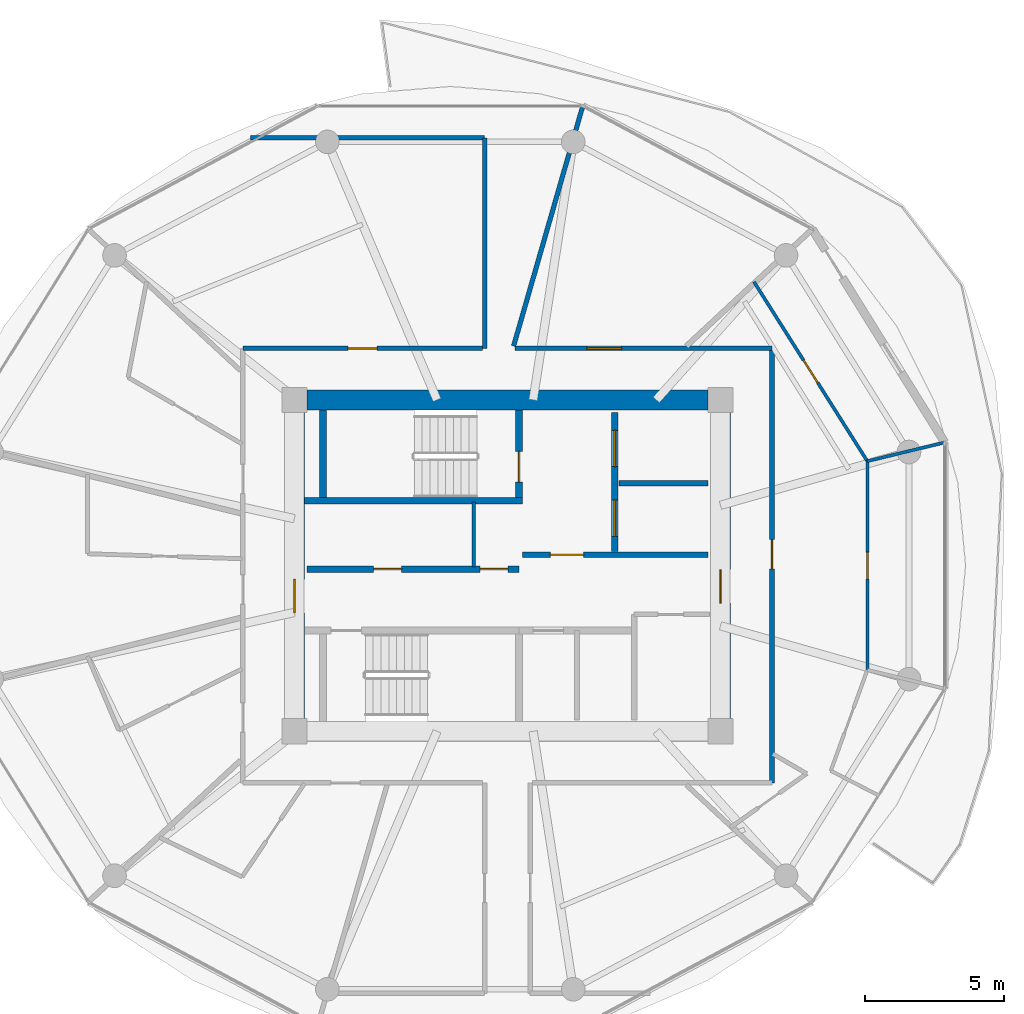
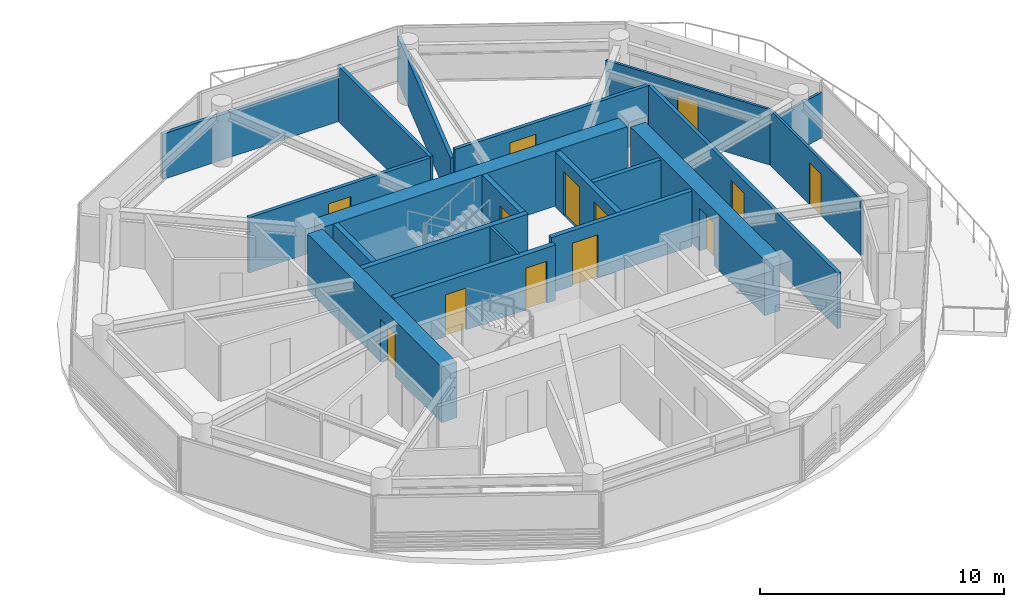
# One storey, part 17 of 24: 20 walls, 13 doors, 13 openings.
"""IFC4 building model written with IfcOpenShell, lengths in metres."""

from ifc_helpers import new_model, si_unit, direction, frame, frame_2d, origin, place, context, subcontext, project, spatial, rectangle, extrude, source, transform, mapped, material, layer, layer_set, type_object, type_shapes, element, fill, save


model = new_model("IFC4")

# Units and contexts
model_context = context("Model", 3, precision=1e-05, world=origin(), true_north=direction((0.0, 1.0)))
body_context = subcontext(model_context, "Body", "Model", "MODEL_VIEW")
ifc_project = project(units=[si_unit("LENGTHUNIT", "METRE"), si_unit("AREAUNIT", "SQUARE_METRE"), si_unit("VOLUMEUNIT", "CUBIC_METRE"), si_unit("PLANEANGLEUNIT", "RADIAN"), si_unit("MASSUNIT", "GRAM", prefix="KILO")], contexts=[model_context])

# Site, building, storey
site_placement = place(None, origin())
site = spatial("IfcSite", under=ifc_project, at=site_placement, CompositionType="ELEMENT")
building_placement = place(site_placement, origin())
building = spatial("IfcBuilding", under=site, at=building_placement, Name="Norrkilde Senior Care Towers", CompositionType="ELEMENT")
storey_placement = place(building_placement, frame((0.0, 0.0, 102.35009765625)))
storey = spatial("IfcBuildingStorey", under=building, at=storey_placement, Name="L31", CompositionType="ELEMENT", Elevation=102.35009765625)

# Wall
ifc_material_1 = material(Name="Concrete C60/75", Category="concrete")
ifc_layer_1 = layer(ifc_material_1, 0.719970703125)
ifc_layer_set_1 = layer_set([ifc_layer_1], Name="Concrete C60/75")
wall_type_1 = type_object("IfcWallType", Name="Core Shear Wall Z2 720", PredefinedType="SHEAR", material=ifc_layer_set_1)
shared_shape_1 = source(origin(), body_context, "Body", "SweptSolid", [
    extrude(rectangle(XDim=14.39990234375, YDim=0.719970703125, at=frame_2d((7.199951171875, 0.0))), origin(), (0.0, 0.0, 1.0), 2.789794921875),
])
wall_1_placement = place(storey_placement, frame((20.800048828125, 5.949951171875, 0.0), z_axis=(0.0, 0.0, 1.0), x_axis=(1.0, 0.0, 0.0)))
element("IfcWall", 1, at=wall_1_placement, inside=storey, type_object=wall_type_1, Name="L31 Core E North Shear Wall", PredefinedType="SHEAR", context=body_context, shape_type="MappedRepresentation", body=[
    mapped(shared_shape_1, transform((0.0, 0.0, 0.0), x_axis=(1.0, 0.0, 0.0), y_axis=(0.0, 1.0, 0.0), z_axis=(0.0, 0.0, 1.0), scale=1.0)),
])

# Wall, opening, door
shared_shape_2 = source(origin(), body_context, "Body", "SweptSolid", [
    extrude(rectangle(XDim=11.0, YDim=0.719970703125, at=frame_2d((5.5, 0.0))), origin(), (0.0, 0.0, 1.0), 2.789794921875),
])
type_shapes(wall_type_1, [shared_shape_1, shared_shape_2])
wall_2_placement = place(storey_placement, frame((20.35009765625, -5.5, 0.0), z_axis=(0.0, 0.0, 1.0), x_axis=(0.0, 1.0, 0.0)))
wall_2 = element("IfcWall", 2, at=wall_2_placement, inside=storey, type_object=wall_type_1, Name="L31 Core E West Shear Wall", PredefinedType="SHEAR", context=body_context, shape_type="MappedRepresentation", body=[
    mapped(shared_shape_2, transform((0.0, 0.0, 0.0), x_axis=(1.0, 0.0, 0.0), y_axis=(0.0, 1.0, 0.0), z_axis=(0.0, 0.0, 1.0), scale=1.0)),
])
opening_1_placement = place(wall_2_placement, frame((3.800048828125, 0.0, 0.0)))
opening_1 = element("IfcOpeningElement", 3, at=opening_1_placement, cuts=wall_2, Name="Opening D-04", PredefinedType="OPENING", context=body_context, shape_type="SweptSolid", body=[
    extrude(rectangle(XDim=1.199951171875, YDim=2.14990234375, at=frame_2d((0.60009765625, 1.074951171875))), frame((0.0, 0.369873046875, 0.0), z_axis=(0.0, -1.0, 0.0), x_axis=(1.0, 0.0, 0.0)), (0.0, 0.0, 1.0), 0.739990234375),
])
ifc_material_2 = material(Name="Galvanised Painted Steel", Category="steel")
door_type_1 = type_object("IfcDoorType", Name="Firefighting Lobby Fire Door 1200x2150", OperationType="NOTDEFINED", PredefinedType="DOOR", material=ifc_material_2)
shared_shape_3 = source(origin(), body_context, "Body", "SweptSolid", [
    extrude(rectangle(XDim=1.199951171875, YDim=2.14990234375, at=frame_2d((0.60009765625, 1.074951171875))), frame((0.0, 0.02490234375, 0.0), z_axis=(0.0, -1.0, 0.0), x_axis=(1.0, 0.0, 0.0)), (0.0, 0.0, 1.0), 0.050048828125),
])
type_shapes(door_type_1, [shared_shape_3])
door_1_placement = place(opening_1_placement, frame((1.199951171875, 0.0, 0.0), z_axis=(0.0, 0.0, 1.0), x_axis=(-1.0, 0.0, 0.0)))
door_1 = element("IfcDoor", 4, at=door_1_placement, inside=storey, type_object=door_type_1, Name="L31 Core E West Portal Door", OperationType="SINGLE_SWING_LEFT", OverallHeight=2.14990234375, OverallWidth=1.199951171875, PredefinedType="DOOR", context=body_context, shape_type="MappedRepresentation", body=[
    mapped(shared_shape_3, transform((0.0, 0.0, 0.0), x_axis=(1.0, 0.0, 0.0), y_axis=(0.0, 1.0, 0.0), z_axis=(0.0, 0.0, 1.0), scale=1.0)),
])
fill(opening_1, door_1)

wall_3_placement = place(storey_placement, frame((35.64990234375, 5.5, 0.0), z_axis=(0.0, 0.0, 1.0), x_axis=(0.0, -1.0, 0.0)))
wall_3 = element("IfcWall", 5, at=wall_3_placement, inside=storey, type_object=wall_type_1, Name="L31 Core E East Shear Wall", PredefinedType="SHEAR", context=body_context, shape_type="MappedRepresentation", body=[
    mapped(shared_shape_2, transform((0.0, 0.0, 0.0), x_axis=(1.0, 0.0, 0.0), y_axis=(0.0, 1.0, 0.0), z_axis=(0.0, 0.0, 1.0), scale=1.0)),
])
opening_2_placement = place(wall_3_placement, frame((5.64990234375, 0.0, 0.0)))
opening_2 = element("IfcOpeningElement", 6, at=opening_2_placement, cuts=wall_3, Name="Opening D-04", PredefinedType="OPENING", context=body_context, shape_type="SweptSolid", body=[
    extrude(rectangle(XDim=1.199951171875, YDim=2.14990234375, at=frame_2d((0.60009765625, 1.074951171875))), frame((0.0, 0.369873046875, 0.0), z_axis=(0.0, -1.0, 0.0), x_axis=(1.0, 0.0, 0.0)), (0.0, 0.0, 1.0), 0.739990234375),
])
door_2_placement = place(opening_2_placement, frame((1.199951171875, 0.0, 0.0), z_axis=(0.0, 0.0, 1.0), x_axis=(-1.0, 0.0, 0.0)))
door_2 = element("IfcDoor", 7, at=door_2_placement, inside=storey, type_object=door_type_1, Name="L31 Core E East Portal Door", OperationType="SINGLE_SWING_RIGHT", OverallHeight=2.14990234375, OverallWidth=1.199951171875, PredefinedType="DOOR", context=body_context, shape_type="MappedRepresentation", body=[
    mapped(shared_shape_3, transform((0.0, 0.0, 0.0), x_axis=(1.0, 0.0, 0.0), y_axis=(0.0, 1.0, 0.0), z_axis=(0.0, 0.0, 1.0), scale=1.0)),
])
fill(opening_2, door_2)

# Wall, openings, doors
ifc_material_3 = material(Name="Concrete C45/55", Category="concrete")
ifc_layer_2 = layer(ifc_material_3, 0.239990234375)
ifc_layer_set_2 = layer_set([ifc_layer_2], Name="Concrete C45/55")
wall_type_2 = type_object("IfcWallType", Name="Lift and Plant Rated Enclosure Partition 240", PredefinedType="PARTITIONING", material=ifc_layer_set_2)
shared_shape_4 = source(origin(), body_context, "Body", "SweptSolid", [
    extrude(rectangle(XDim=5.0, YDim=0.239990234375, at=frame_2d((2.5, 0.0))), origin(), (0.0, 0.0, 1.0), 2.77490234375),
])
wall_4_placement = place(storey_placement, frame((31.860107421875, 0.5, 0.0), z_axis=(0.0, 0.0, 1.0), x_axis=(0.0, 1.0, 0.0)))
wall_4 = element("IfcWall", 8, at=wall_4_placement, inside=storey, type_object=wall_type_2, Name="WL-INT-L31-E-FFLE", PredefinedType="PARTITIONING", context=body_context, shape_type="MappedRepresentation", body=[
    mapped(shared_shape_4, transform((0.0, 0.0, 0.0), x_axis=(1.0, 0.0, 0.0), y_axis=(0.0, 1.0, 0.0), z_axis=(0.0, 0.0, 1.0), scale=1.0)),
])
opening_3_placement = place(wall_4_placement, frame((3.050048828125, 0.0, 0.0)))
opening_3 = element("IfcOpeningElement", 9, at=opening_3_placement, cuts=wall_4, Name="Opening LD-02", PredefinedType="OPENING", context=body_context, shape_type="SweptSolid", body=[
    extrude(rectangle(XDim=1.300048828125, YDim=2.199951171875, at=frame_2d((0.64990234375, 1.10009765625))), frame((0.0, 0.1298828125, 0.0), z_axis=(0.0, -1.0, 0.0), x_axis=(1.0, 0.0, 0.0)), (0.0, 0.0, 1.0), 0.260009765625),
])
opening_4_placement = place(wall_4_placement, frame((0.550048828125, 0.0, 0.0)))
opening_4 = element("IfcOpeningElement", 10, at=opening_4_placement, cuts=wall_4, Name="Opening LD-02", PredefinedType="OPENING", context=body_context, shape_type="SweptSolid", body=[
    extrude(rectangle(XDim=1.300048828125, YDim=2.199951171875, at=frame_2d((0.64990234375, 1.10009765625))), frame((0.0, 0.1298828125, 0.0), z_axis=(0.0, -1.0, 0.0), x_axis=(1.0, 0.0, 0.0)), (0.0, 0.0, 1.0), 0.260009765625),
])
ifc_material_4 = material(Name="Stainless Steel", Category="steel")
door_type_2 = type_object("IfcDoorType", Name="Stretcher and FFL Landing Sliding Door 1300x2200", OperationType="NOTDEFINED", PredefinedType="DOOR", material=ifc_material_4)
shared_shape_5 = source(origin(), body_context, "Body", "SweptSolid", [
    extrude(rectangle(XDim=1.300048828125, YDim=2.199951171875, at=frame_2d((0.64990234375, 1.10009765625))), frame((0.0, 0.02490234375, 0.0), z_axis=(0.0, -1.0, 0.0), x_axis=(1.0, 0.0, 0.0)), (0.0, 0.0, 1.0), 0.050048828125),
])
type_shapes(door_type_2, [shared_shape_5])
door_3_placement = place(opening_3_placement, origin())
door_3 = element("IfcDoor", 11, at=door_3_placement, inside=storey, type_object=door_type_2, Name="L31 Firefighting Lift E1 Landing Door", OperationType="SLIDING_TO_LEFT", OverallHeight=2.199951171875, OverallWidth=1.300048828125, PredefinedType="DOOR", context=body_context, shape_type="MappedRepresentation", body=[
    mapped(shared_shape_5, transform((0.0, 0.0, 0.0), x_axis=(1.0, 0.0, 0.0), y_axis=(0.0, 1.0, 0.0), z_axis=(0.0, 0.0, 1.0), scale=1.0)),
])
fill(opening_3, door_3)
door_4_placement = place(opening_4_placement, origin())
door_4 = element("IfcDoor", 12, at=door_4_placement, inside=storey, type_object=door_type_2, Name="L31 Stretcher Lift E1 Landing Door", OperationType="SLIDING_TO_RIGHT", OverallHeight=2.199951171875, OverallWidth=1.300048828125, PredefinedType="DOOR", context=body_context, shape_type="MappedRepresentation", body=[
    mapped(shared_shape_5, transform((0.0, 0.0, 0.0), x_axis=(1.0, 0.0, 0.0), y_axis=(0.0, 1.0, 0.0), z_axis=(0.0, 0.0, 1.0), scale=1.0)),
])
fill(opening_4, door_4)

# Wall
ifc_layer_3 = layer(ifc_material_3, 0.199951171875)
ifc_layer_set_3 = layer_set([ifc_layer_3], Name="Concrete C45/55")
wall_type_3 = type_object("IfcWallType", Name="Shaft Division and Plant Partition 200", PredefinedType="PARTITIONING", material=ifc_layer_set_3)
shared_shape_6 = source(origin(), body_context, "Body", "SweptSolid", [
    extrude(rectangle(XDim=3.199951171875, YDim=0.199951171875, at=frame_2d((1.60009765625, 0.0))), origin(), (0.0, 0.0, 1.0), 2.77490234375),
])
type_shapes(wall_type_3, [shared_shape_6])
wall_5_placement = place(storey_placement, frame((32.0, 2.949951171875, 0.0), z_axis=(0.0, 0.0, 1.0), x_axis=(1.0, 0.0, 0.0)))
element("IfcWall", 13, at=wall_5_placement, inside=storey, type_object=wall_type_3, Name="WL-INT-L31-E-FFLDIV", PredefinedType="PARTITIONING", context=body_context, shape_type="MappedRepresentation", body=[
    mapped(shared_shape_6, transform((0.0, 0.0, 0.0), x_axis=(1.0, 0.0, 0.0), y_axis=(0.0, 1.0, 0.0), z_axis=(0.0, 0.0, 1.0), scale=1.0)),
])

# Wall, opening, door
ifc_layer_4 = layer(ifc_material_3, 0.2099609375)
ifc_layer_set_4 = layer_set([ifc_layer_4], Name="Concrete C45/55")
wall_type_4 = type_object("IfcWallType", Name="Firefighting Lobby Wall 210", PredefinedType="PARTITIONING", material=ifc_layer_set_4)
shared_shape_7 = source(origin(), body_context, "Body", "SweptSolid", [
    extrude(rectangle(XDim=6.659912109375, YDim=0.2099609375, at=frame_2d((3.330078125, 0.0))), origin(), (0.0, 0.0, 1.0), 2.77490234375),
])
type_shapes(wall_type_4, [shared_shape_7])
wall_6_placement = place(storey_placement, frame((28.5400390625, 0.389892578125, 0.0), z_axis=(0.0, 0.0, 1.0), x_axis=(1.0, 0.0, 0.0)))
wall_6 = element("IfcWall", 14, at=wall_6_placement, inside=storey, type_object=wall_type_4, Name="WL-INT-L31-E-FFLS", PredefinedType="PARTITIONING", context=body_context, shape_type="MappedRepresentation", body=[
    mapped(shared_shape_7, transform((0.0, 0.0, 0.0), x_axis=(1.0, 0.0, 0.0), y_axis=(0.0, 1.0, 0.0), z_axis=(0.0, 0.0, 1.0), scale=1.0)),
])
opening_5_placement = place(wall_6_placement, frame((1.0, 0.0, 0.0)))
opening_5 = element("IfcOpeningElement", 15, at=opening_5_placement, cuts=wall_6, Name="Opening D-04", PredefinedType="OPENING", context=body_context, shape_type="SweptSolid", body=[
    extrude(rectangle(XDim=1.199951171875, YDim=2.14990234375, at=frame_2d((0.60009765625, 1.074951171875))), frame((0.0, 0.114990234375, 0.0), z_axis=(0.0, -1.0, 0.0), x_axis=(1.0, 0.0, 0.0)), (0.0, 0.0, 1.0), 0.22998046875),
])
door_5_placement = place(opening_5_placement, frame((1.199951171875, 0.0, 0.0), z_axis=(0.0, 0.0, 1.0), x_axis=(-1.0, 0.0, 0.0)))
door_5 = element("IfcDoor", 16, at=door_5_placement, inside=storey, type_object=door_type_1, Name="L31 Firefighting Lobby E Door", OperationType="SINGLE_SWING_LEFT", OverallHeight=2.14990234375, OverallWidth=1.199951171875, PredefinedType="DOOR", context=body_context, shape_type="MappedRepresentation", body=[
    mapped(shared_shape_3, transform((0.0, 0.0, 0.0), x_axis=(1.0, 0.0, 0.0), y_axis=(0.0, 1.0, 0.0), z_axis=(0.0, 0.0, 1.0), scale=1.0)),
])
fill(opening_5, door_5)

# Wall, openings, doors
shared_shape_8 = source(origin(), body_context, "Body", "SweptSolid", [
    extrude(rectangle(XDim=7.619873046875, YDim=0.239990234375, at=frame_2d((3.81005859375, 0.0))), origin(), (0.0, 0.0, 1.0), 2.77490234375),
])
type_shapes(wall_type_2, [shared_shape_4, shared_shape_8])
wall_7_placement = place(storey_placement, frame((20.800048828125, -0.1298828125, 0.0), z_axis=(0.0, 0.0, 1.0), x_axis=(1.0, 0.0, 0.0)))
wall_7 = element("IfcWall", 17, at=wall_7_placement, inside=storey, type_object=wall_type_2, Name="WL-INT-L31-E-PKAS", PredefinedType="PARTITIONING", context=body_context, shape_type="MappedRepresentation", body=[
    mapped(shared_shape_8, transform((0.0, 0.0, 0.0), x_axis=(1.0, 0.0, 0.0), y_axis=(0.0, 1.0, 0.0), z_axis=(0.0, 0.0, 1.0), scale=1.0)),
])
opening_6_placement = place(wall_7_placement, frame((6.219970703125, 0.0, 0.0)))
opening_6 = element("IfcOpeningElement", 18, at=opening_6_placement, cuts=wall_7, Name="Opening D-10", PredefinedType="OPENING", context=body_context, shape_type="SweptSolid", body=[
    extrude(rectangle(XDim=1.0, YDim=2.10009765625, at=frame_2d((0.5, 1.050048828125))), frame((0.0, 0.1298828125, 0.0), z_axis=(0.0, -1.0, 0.0), x_axis=(1.0, 0.0, 0.0)), (0.0, 0.0, 1.0), 0.260009765625),
])
opening_7_placement = place(wall_7_placement, frame((2.39990234375, 0.0, 0.0)))
opening_7 = element("IfcOpeningElement", 19, at=opening_7_placement, cuts=wall_7, Name="Opening D-10", PredefinedType="OPENING", context=body_context, shape_type="SweptSolid", body=[
    extrude(rectangle(XDim=1.0, YDim=2.10009765625, at=frame_2d((0.5, 1.050048828125))), frame((0.0, 0.1298828125, 0.0), z_axis=(0.0, -1.0, 0.0), x_axis=(1.0, 0.0, 0.0)), (0.0, 0.0, 1.0), 0.260009765625),
])
door_type_3 = type_object("IfcDoorType", Name="Plant and Riser Rated Door 1000x2100", OperationType="NOTDEFINED", PredefinedType="DOOR", material=ifc_material_2)
shared_shape_9 = source(origin(), body_context, "Body", "SweptSolid", [
    extrude(rectangle(XDim=1.0, YDim=2.10009765625, at=frame_2d((0.5, 1.050048828125))), frame((0.0, 0.02490234375, 0.0), z_axis=(0.0, -1.0, 0.0), x_axis=(1.0, 0.0, 0.0)), (0.0, 0.0, 1.0), 0.050048828125),
])
type_shapes(door_type_3, [shared_shape_9])
door_6_placement = place(opening_6_placement, frame((1.0, 0.0, 0.0), z_axis=(0.0, 0.0, 1.0), x_axis=(-1.0, 0.0, 0.0)))
door_6 = element("IfcDoor", 20, at=door_6_placement, inside=storey, type_object=door_type_3, Name="L31 Electrical Riser E Door", OperationType="SINGLE_SWING_LEFT", OverallHeight=2.10009765625, OverallWidth=1.0, PredefinedType="DOOR", context=body_context, shape_type="MappedRepresentation", body=[
    mapped(shared_shape_9, transform((0.0, 0.0, 0.0), x_axis=(1.0, 0.0, 0.0), y_axis=(0.0, 1.0, 0.0), z_axis=(0.0, 0.0, 1.0), scale=1.0)),
])
fill(opening_6, door_6)
door_7_placement = place(opening_7_placement, frame((1.0, 0.0, 0.0), z_axis=(0.0, 0.0, 1.0), x_axis=(-1.0, 0.0, 0.0)))
door_7 = element("IfcDoor", 21, at=door_7_placement, inside=storey, type_object=door_type_3, Name="L31 Clean Supply Store E Door", OperationType="SINGLE_SWING_LEFT", OverallHeight=2.10009765625, OverallWidth=1.0, PredefinedType="DOOR", context=body_context, shape_type="MappedRepresentation", body=[
    mapped(shared_shape_9, transform((0.0, 0.0, 0.0), x_axis=(1.0, 0.0, 0.0), y_axis=(0.0, 1.0, 0.0), z_axis=(0.0, 0.0, 1.0), scale=1.0)),
])
fill(opening_7, door_7)

# Wall
ifc_material_5 = material(Name="Gypsum Acoustic Board")
ifc_layer_5 = layer(ifc_material_5, 0.114990234375)
ifc_layer_set_5 = layer_set([ifc_layer_5], Name="Gypsum Acoustic Board")
wall_type_5 = type_object("IfcWallType", Name="Internal Room Partition 115", PredefinedType="PARTITIONING", material=ifc_layer_set_5)
shared_shape_10 = source(origin(), body_context, "Body", "SweptSolid", [
    extrude(rectangle(XDim=2.330078125, YDim=0.114990234375, at=frame_2d((1.1650390625, 0.0))), origin(), (0.0, 0.0, 1.0), 2.77490234375),
])
wall_8_placement = place(storey_placement, frame((26.7900390625, -0.050048828125, 0.0), z_axis=(0.0, 0.0, 1.0), x_axis=(0.0, 1.0, 0.0)))
element("IfcWall", 22, at=wall_8_placement, inside=storey, type_object=wall_type_5, Name="WL-INT-L31-E-RISW", PredefinedType="PARTITIONING", context=body_context, shape_type="MappedRepresentation", body=[
    mapped(shared_shape_10, transform((0.0, 0.0, 0.0), x_axis=(1.0, 0.0, 0.0), y_axis=(0.0, 1.0, 0.0), z_axis=(0.0, 0.0, 1.0), scale=1.0)),
])

# Wall, opening, door
ifc_layer_6 = layer(ifc_material_5, 0.1650390625)
ifc_layer_set_6 = layer_set([ifc_layer_6], Name="Gypsum Acoustic Board")
wall_type_6 = type_object("IfcWallType", Name="Corridor Rated Partition 165", PredefinedType="PARTITIONING", material=ifc_layer_set_6)
shared_shape_11 = source(origin(), body_context, "Body", "SweptSolid", [
    extrude(rectangle(XDim=15.60009765625, YDim=0.1650390625, at=frame_2d((7.800048828125, 0.0))), origin(), (0.0, 0.0, 1.0), 2.77490234375),
])
wall_9_placement = place(storey_placement, frame((37.5, 7.800048828125, 0.0), z_axis=(0.0, 0.0, 1.0), x_axis=(0.0, -1.0, 0.0)))
wall_9 = element("IfcWall", 23, at=wall_9_placement, inside=storey, type_object=wall_type_6, Name="WL-INT-L31-E-CRW-E-0", PredefinedType="PARTITIONING", context=body_context, shape_type="MappedRepresentation", body=[
    mapped(shared_shape_11, transform((0.0, 0.0, 0.0), x_axis=(1.0, 0.0, 0.0), y_axis=(0.0, 1.0, 0.0), z_axis=(0.0, 0.0, 1.0), scale=1.0)),
])
opening_8_placement = place(wall_9_placement, frame((6.86962890625, 0.0, 0.0)))
opening_8 = element("IfcOpeningElement", 24, at=opening_8_placement, cuts=wall_9, Name="Opening D-06", PredefinedType="OPENING", context=body_context, shape_type="SweptSolid", body=[
    extrude(rectangle(XDim=1.050048828125, YDim=2.14990234375, at=frame_2d((0.52490234375, 1.074951171875))), frame((0.0, 0.092529296875, 0.0), z_axis=(0.0, -1.0, 0.0), x_axis=(1.0, 0.0, 0.0)), (0.0, 0.0, 1.0), 0.18505859375),
])
ifc_material_6 = material(Name="Nordic Ash Timber", Category="wood")
door_type_4 = type_object("IfcDoorType", Name="Apartment Entrance Fire Door 1050x2150", OperationType="NOTDEFINED", PredefinedType="DOOR", material=ifc_material_6)
shared_shape_12 = source(origin(), body_context, "Body", "SweptSolid", [
    extrude(rectangle(XDim=1.050048828125, YDim=2.14990234375, at=frame_2d((0.52490234375, 1.074951171875))), frame((0.0, 0.02490234375, 0.0), z_axis=(0.0, -1.0, 0.0), x_axis=(1.0, 0.0, 0.0)), (0.0, 0.0, 1.0), 0.050048828125),
])
type_shapes(door_type_4, [shared_shape_12])
door_8_placement = place(opening_8_placement, frame((1.050048828125, 0.0, 0.0), z_axis=(0.0, 0.0, 1.0), x_axis=(-1.0, 0.0, 0.0)))
door_8 = element("IfcDoor", 25, at=door_8_placement, inside=storey, type_object=door_type_4, Name="Apartment 31E Entrance Door", OperationType="SINGLE_SWING_LEFT", OverallHeight=2.14990234375, OverallWidth=1.050048828125, PredefinedType="DOOR", context=body_context, shape_type="MappedRepresentation", body=[
    mapped(shared_shape_12, transform((0.0, 0.0, 0.0), x_axis=(1.0, 0.0, 0.0), y_axis=(0.0, 1.0, 0.0), z_axis=(0.0, 0.0, 1.0), scale=1.0)),
])
fill(opening_8, door_8)

shared_shape_13 = source(origin(), body_context, "Body", "SweptSolid", [
    extrude(rectangle(XDim=8.60009765625, YDim=0.1650390625, at=frame_2d((4.300048828125, 0.0))), origin(), (0.0, 0.0, 1.0), 2.77490234375),
])
wall_10_placement = place(storey_placement, frame((18.5, 7.800048828125, 0.0), z_axis=(0.0, 0.0, 1.0), x_axis=(1.0, 0.0, 0.0)))
wall_10 = element("IfcWall", 26, at=wall_10_placement, inside=storey, type_object=wall_type_6, Name="WL-INT-L31-E-CRW-N-0", PredefinedType="PARTITIONING", context=body_context, shape_type="MappedRepresentation", body=[
    mapped(shared_shape_13, transform((0.0, 0.0, 0.0), x_axis=(1.0, 0.0, 0.0), y_axis=(0.0, 1.0, 0.0), z_axis=(0.0, 0.0, 1.0), scale=1.0)),
])
opening_9_placement = place(wall_10_placement, frame((3.77490234375, 0.0, 0.0)))
opening_9 = element("IfcOpeningElement", 27, at=opening_9_placement, cuts=wall_10, Name="Opening D-06", PredefinedType="OPENING", context=body_context, shape_type="SweptSolid", body=[
    extrude(rectangle(XDim=1.050048828125, YDim=2.14990234375, at=frame_2d((0.52490234375, 1.074951171875))), frame((0.0, 0.092529296875, 0.0), z_axis=(0.0, -1.0, 0.0), x_axis=(1.0, 0.0, 0.0)), (0.0, 0.0, 1.0), 0.18505859375),
])
door_9_placement = place(opening_9_placement, frame((1.050048828125, 0.0, 0.0), z_axis=(0.0, 0.0, 1.0), x_axis=(-1.0, 0.0, 0.0)))
door_9 = element("IfcDoor", 28, at=door_9_placement, inside=storey, type_object=door_type_4, Name="L31 Reading Lounge NWL Door", OperationType="SINGLE_SWING_RIGHT", OverallHeight=2.14990234375, OverallWidth=1.050048828125, PredefinedType="DOOR", context=body_context, shape_type="MappedRepresentation", body=[
    mapped(shared_shape_12, transform((0.0, 0.0, 0.0), x_axis=(1.0, 0.0, 0.0), y_axis=(0.0, 1.0, 0.0), z_axis=(0.0, 0.0, 1.0), scale=1.0)),
])
fill(opening_9, door_9)

shared_shape_14 = source(origin(), body_context, "Body", "SweptSolid", [
    extrude(rectangle(XDim=9.234130859375, YDim=0.1650390625, at=frame_2d((4.6171875, 0.0))), origin(), (0.0, 0.0, 1.0), 2.77490234375),
])
wall_11_placement = place(storey_placement, frame((28.265869140625, 7.800048828125, 0.0), z_axis=(0.0, 0.0, 1.0), x_axis=(1.0, 0.0, 0.0)))
wall_11 = element("IfcWall", 29, at=wall_11_placement, inside=storey, type_object=wall_type_6, Name="WL-INT-L31-E-CRW-N-1", PredefinedType="PARTITIONING", context=body_context, shape_type="MappedRepresentation", body=[
    mapped(shared_shape_14, transform((0.0, 0.0, 0.0), x_axis=(1.0, 0.0, 0.0), y_axis=(0.0, 1.0, 0.0), z_axis=(0.0, 0.0, 1.0), scale=1.0)),
])
opening_10_placement = place(wall_11_placement, frame((2.588134765625, 0.0, 0.0)))
opening_10 = element("IfcOpeningElement", 30, at=opening_10_placement, cuts=wall_11, Name="Opening D-05", PredefinedType="OPENING", context=body_context, shape_type="SweptSolid", body=[
    extrude(rectangle(XDim=1.25, YDim=2.199951171875, at=frame_2d((0.625, 1.10009765625))), frame((0.0, 0.092529296875, 0.0), z_axis=(0.0, -1.0, 0.0), x_axis=(1.0, 0.0, 0.0)), (0.0, 0.0, 1.0), 0.18505859375),
])
door_type_5 = type_object("IfcDoorType", Name="Care Bedroom Bariatric Door 1250x2200", OperationType="NOTDEFINED", PredefinedType="DOOR", material=ifc_material_6)
shared_shape_15 = source(origin(), body_context, "Body", "SweptSolid", [
    extrude(rectangle(XDim=1.25, YDim=2.199951171875, at=frame_2d((0.625, 1.10009765625))), frame((0.0, 0.02490234375, 0.0), z_axis=(0.0, -1.0, 0.0), x_axis=(1.0, 0.0, 0.0)), (0.0, 0.0, 1.0), 0.050048828125),
])
type_shapes(door_type_5, [shared_shape_15])
door_10_placement = place(opening_10_placement, frame((1.25, 0.0, 0.0), z_axis=(0.0, 0.0, 1.0), x_axis=(-1.0, 0.0, 0.0)))
door_10 = element("IfcDoor", 31, at=door_10_placement, inside=storey, type_object=door_type_5, Name="L31 Senior Wellness Library Lounge Door", OperationType="SINGLE_SWING_RIGHT", OverallHeight=2.199951171875, OverallWidth=1.25, PredefinedType="DOOR", context=body_context, shape_type="MappedRepresentation", body=[
    mapped(shared_shape_15, transform((0.0, 0.0, 0.0), x_axis=(1.0, 0.0, 0.0), y_axis=(0.0, 1.0, 0.0), z_axis=(0.0, 0.0, 1.0), scale=1.0)),
])
fill(opening_10, door_10)

# Walls
shared_shape_16 = source(origin(), body_context, "Body", "SweptSolid", [
    extrude(rectangle(XDim=8.9892578125, YDim=0.1650390625, at=frame_2d((4.49462890625, 0.0))), origin(), (0.0, 0.0, 1.0), 2.27490234375),
])
wall_12_placement = place(storey_placement, frame((28.221923828125, 7.8798828125, 0.0), z_axis=(0.0, 0.0, 1.0), x_axis=(0.27702323008, 0.960863221274, 0.0)))
element("IfcWall", 32, at=wall_12_placement, inside=storey, type_object=wall_type_6, Name="WL-INT-L31-E-DEM-02-0", PredefinedType="PARTITIONING", context=body_context, shape_type="MappedRepresentation", body=[
    mapped(shared_shape_16, transform((0.0, 0.0, 0.0), x_axis=(1.0, 0.0, 0.0), y_axis=(0.0, 1.0, 0.0), z_axis=(0.0, 0.0, 1.0), scale=1.0)),
])
shared_shape_17 = source(origin(), body_context, "Body", "SweptSolid", [
    extrude(rectangle(XDim=7.56005859375, YDim=0.1650390625, at=frame_2d((3.780029296875, 0.0))), origin(), (0.0, 0.0, 1.0), 2.77490234375),
])
wall_13_placement = place(storey_placement, frame((27.179931640625, 7.800048828125, 0.0), z_axis=(0.0, 0.0, 1.0), x_axis=(0.0, 1.0, 0.0)))
element("IfcWall", 33, at=wall_13_placement, inside=storey, type_object=wall_type_6, Name="WL-INT-L31-E-PKW-NWL", PredefinedType="PARTITIONING", context=body_context, shape_type="MappedRepresentation", body=[
    mapped(shared_shape_17, transform((0.0, 0.0, 0.0), x_axis=(1.0, 0.0, 0.0), y_axis=(0.0, 1.0, 0.0), z_axis=(0.0, 0.0, 1.0), scale=1.0)),
])
shared_shape_18 = source(origin(), body_context, "Body", "SweptSolid", [
    extrude(rectangle(XDim=8.406982421875, YDim=0.1650390625, at=frame_2d((4.20361328125, 0.0))), origin(), (0.0, 0.0, 1.0), 2.27490234375),
])
type_shapes(wall_type_6, [shared_shape_11, shared_shape_13, shared_shape_14, shared_shape_16, shared_shape_17, shared_shape_18])
wall_14_placement = place(storey_placement, frame((18.77294921875, 15.360107421875, 0.0), z_axis=(0.0, 0.0, 1.0), x_axis=(1.0, 0.0, 0.0)))
element("IfcWall", 34, at=wall_14_placement, inside=storey, type_object=wall_type_6, Name="WL-INT-L31-E-PKH-NWL-0", PredefinedType="PARTITIONING", context=body_context, shape_type="MappedRepresentation", body=[
    mapped(shared_shape_18, transform((0.0, 0.0, 0.0), x_axis=(1.0, 0.0, 0.0), y_axis=(0.0, 1.0, 0.0), z_axis=(0.0, 0.0, 1.0), scale=1.0)),
])
ifc_layer_7 = layer(ifc_material_3, 0.239990234375)
ifc_layer_set_7 = layer_set([ifc_layer_7], Name="Concrete C45/55")
wall_type_7 = type_object("IfcWallType", Name="Shaft and Stair Enclosure Wall 240", PredefinedType="PARTITIONING", material=ifc_layer_set_7)
shared_shape_19 = source(origin(), body_context, "Body", "SweptSolid", [
    extrude(rectangle(XDim=7.830078125, YDim=0.239990234375, at=frame_2d((3.9150390625, 0.0))), origin(), (0.0, 0.0, 1.0), 2.789794921875),
])
wall_15_placement = place(storey_placement, frame((20.7099609375, 2.330078125, 0.0), z_axis=(0.0, 0.0, 1.0), x_axis=(1.0, 0.0, 0.0)))
element("IfcWall", 35, at=wall_15_placement, inside=storey, type_object=wall_type_7, Name="WL-INT-L31-E-ST1S", PredefinedType="PARTITIONING", context=body_context, shape_type="MappedRepresentation", body=[
    mapped(shared_shape_19, transform((0.0, 0.0, 0.0), x_axis=(1.0, 0.0, 0.0), y_axis=(0.0, 1.0, 0.0), z_axis=(0.0, 0.0, 1.0), scale=1.0)),
])
shared_shape_20 = source(origin(), body_context, "Body", "SweptSolid", [
    extrude(rectangle(XDim=3.14013671875, YDim=0.239990234375, at=frame_2d((1.570068359375, 0.0))), origin(), (0.0, 0.0, 1.0), 2.789794921875),
])
type_shapes(wall_type_7, [shared_shape_19, shared_shape_20])
wall_16_placement = place(storey_placement, frame((21.3798828125, 2.449951171875, 0.0), z_axis=(0.0, 0.0, 1.0), x_axis=(0.0, 1.0, 0.0)))
element("IfcWall", 36, at=wall_16_placement, inside=storey, type_object=wall_type_7, Name="WL-INT-L31-E-ST1W", PredefinedType="PARTITIONING", context=body_context, shape_type="MappedRepresentation", body=[
    mapped(shared_shape_20, transform((0.0, 0.0, 0.0), x_axis=(1.0, 0.0, 0.0), y_axis=(0.0, 1.0, 0.0), z_axis=(0.0, 0.0, 1.0), scale=1.0)),
])

# Wall, opening, door
wall_17_placement = place(storey_placement, frame((28.419921875, 2.449951171875, 0.0), z_axis=(0.0, 0.0, 1.0), x_axis=(0.0, 1.0, 0.0)))
wall_17 = element("IfcWall", 37, at=wall_17_placement, inside=storey, type_object=wall_type_7, Name="WL-INT-L31-E-ST1E", PredefinedType="PARTITIONING", context=body_context, shape_type="MappedRepresentation", body=[
    mapped(shared_shape_20, transform((0.0, 0.0, 0.0), x_axis=(1.0, 0.0, 0.0), y_axis=(0.0, 1.0, 0.0), z_axis=(0.0, 0.0, 1.0), scale=1.0)),
])
opening_11_placement = place(wall_17_placement, frame((0.550048828125, 0.0, 0.0)))
opening_11 = element("IfcOpeningElement", 38, at=opening_11_placement, cuts=wall_17, Name="Opening D-03", PredefinedType="OPENING", context=body_context, shape_type="SweptSolid", body=[
    extrude(rectangle(XDim=1.10009765625, YDim=2.14990234375, at=frame_2d((0.550048828125, 1.074951171875))), frame((0.0, 0.1298828125, 0.0), z_axis=(0.0, -1.0, 0.0), x_axis=(1.0, 0.0, 0.0)), (0.0, 0.0, 1.0), 0.260009765625),
])
door_type_6 = type_object("IfcDoorType", Name="Stairwell Protected Fire Door 1100x2150", OperationType="NOTDEFINED", PredefinedType="DOOR", material=ifc_material_2)
shared_shape_21 = source(origin(), body_context, "Body", "SweptSolid", [
    extrude(rectangle(XDim=1.10009765625, YDim=2.14990234375, at=frame_2d((0.550048828125, 1.074951171875))), frame((0.0, 0.02490234375, 0.0), z_axis=(0.0, -1.0, 0.0), x_axis=(1.0, 0.0, 0.0)), (0.0, 0.0, 1.0), 0.050048828125),
])
type_shapes(door_type_6, [shared_shape_21])
door_11_placement = place(opening_11_placement, origin())
door_11 = element("IfcDoor", 39, at=door_11_placement, inside=storey, type_object=door_type_6, Name="L31 Stair E1 Fire Door", OperationType="SINGLE_SWING_LEFT", OverallHeight=2.14990234375, OverallWidth=1.10009765625, PredefinedType="DOOR", context=body_context, shape_type="MappedRepresentation", body=[
    mapped(shared_shape_21, transform((0.0, 0.0, 0.0), x_axis=(1.0, 0.0, 0.0), y_axis=(0.0, 1.0, 0.0), z_axis=(0.0, 0.0, 1.0), scale=1.0)),
])
fill(opening_11, door_11)

shared_shape_22 = source(origin(), body_context, "Body", "SweptSolid", [
    extrude(rectangle(XDim=7.4990234375, YDim=0.114990234375, at=frame_2d((3.74951171875, 0.0))), origin(), (0.0, 0.0, 1.0), 2.77490234375),
])
wall_18_placement = place(storey_placement, frame((40.9248046875, -3.74951171875, 0.0), z_axis=(0.0, 0.0, 1.0), x_axis=(0.0, 1.0, 0.0)))
wall_18 = element("IfcWall", 40, at=wall_18_placement, inside=storey, type_object=wall_type_5, Name="WL-INT-L31-E-UBC-10-1", PredefinedType="PARTITIONING", context=body_context, shape_type="MappedRepresentation", body=[
    mapped(shared_shape_22, transform((0.0, 0.0, 0.0), x_axis=(1.0, 0.0, 0.0), y_axis=(0.0, 1.0, 0.0), z_axis=(0.0, 0.0, 1.0), scale=1.0)),
])
opening_12_placement = place(wall_18_placement, frame((3.274658203125, 0.0, 0.0)))
opening_12 = element("IfcOpeningElement", 41, at=opening_12_placement, cuts=wall_18, Name="Opening D-07", PredefinedType="OPENING", context=body_context, shape_type="SweptSolid", body=[
    extrude(rectangle(XDim=0.949951171875, YDim=2.10009765625, at=frame_2d((0.47509765625, 1.050048828125))), frame((0.0, 0.0673828125, 0.0), z_axis=(0.0, -1.0, 0.0), x_axis=(1.0, 0.0, 0.0)), (0.0, 0.0, 1.0), 0.135009765625),
])
door_type_7 = type_object("IfcDoorType", Name="Internal Suite Bedroom Door 950x2100", OperationType="NOTDEFINED", PredefinedType="DOOR", material=ifc_material_6)
shared_shape_23 = source(origin(), body_context, "Body", "SweptSolid", [
    extrude(rectangle(XDim=0.949951171875, YDim=2.10009765625, at=frame_2d((0.47509765625, 1.050048828125))), frame((0.0, 0.02490234375, 0.0), z_axis=(0.0, -1.0, 0.0), x_axis=(1.0, 0.0, 0.0)), (0.0, 0.0, 1.0), 0.050048828125),
])
type_shapes(door_type_7, [shared_shape_23])
door_12_placement = place(opening_12_placement, origin())
door_12 = element("IfcDoor", 42, at=door_12_placement, inside=storey, type_object=door_type_7, Name="Apartment 31E Bedroom 1 Door", OperationType="SINGLE_SWING_RIGHT", OverallHeight=2.10009765625, OverallWidth=0.949951171875, PredefinedType="DOOR", context=body_context, shape_type="MappedRepresentation", body=[
    mapped(shared_shape_23, transform((0.0, 0.0, 0.0), x_axis=(1.0, 0.0, 0.0), y_axis=(0.0, 1.0, 0.0), z_axis=(0.0, 0.0, 1.0), scale=1.0)),
])
fill(opening_12, door_12)

shared_shape_24 = source(origin(), body_context, "Body", "SweptSolid", [
    extrude(rectangle(XDim=7.617919921875, YDim=0.114990234375, at=frame_2d((3.80908203125, 0.0))), origin(), (0.0, 0.0, 1.0), 2.77490234375),
])
wall_19_placement = place(storey_placement, frame((40.923095703125, 3.749267578125, 0.0), z_axis=(0.0, 0.0, 1.0), x_axis=(-0.534316104929, 0.845284744931, 0.0)))
wall_19 = element("IfcWall", 43, at=wall_19_placement, inside=storey, type_object=wall_type_5, Name="WL-INT-L31-E-UBC-10-2", PredefinedType="PARTITIONING", context=body_context, shape_type="MappedRepresentation", body=[
    mapped(shared_shape_24, transform((0.0, 0.0, 0.0), x_axis=(1.0, 0.0, 0.0), y_axis=(0.0, 1.0, 0.0), z_axis=(0.0, 0.0, 1.0), scale=1.0)),
])
opening_13_placement = place(wall_19_placement, frame((3.333984375, 0.0, 0.0)))
opening_13 = element("IfcOpeningElement", 44, at=opening_13_placement, cuts=wall_19, Name="Opening D-07", PredefinedType="OPENING", context=body_context, shape_type="SweptSolid", body=[
    extrude(rectangle(XDim=0.949951171875, YDim=2.10009765625, at=frame_2d((0.47509765625, 1.050048828125))), frame((0.0, 0.0673828125, 0.0), z_axis=(0.0, -1.0, 0.0), x_axis=(1.0, 0.0, 0.0)), (0.0, 0.0, 1.0), 0.135009765625),
])
door_13_placement = place(opening_13_placement, frame((0.949951171875, 0.0, 0.0), z_axis=(0.0, 0.0, 1.0), x_axis=(-1.0, 0.0, 0.0)))
door_13 = element("IfcDoor", 45, at=door_13_placement, inside=storey, type_object=door_type_7, Name="Apartment 31E Bedroom 2 Door", OperationType="SINGLE_SWING_LEFT", OverallHeight=2.10009765625, OverallWidth=0.949951171875, PredefinedType="DOOR", context=body_context, shape_type="MappedRepresentation", body=[
    mapped(shared_shape_23, transform((0.0, 0.0, 0.0), x_axis=(1.0, 0.0, 0.0), y_axis=(0.0, 1.0, 0.0), z_axis=(0.0, 0.0, 1.0), scale=1.0)),
])
fill(opening_13, door_13)

# Wall
shared_shape_25 = source(origin(), body_context, "Body", "SweptSolid", [
    extrude(rectangle(XDim=2.880615234375, YDim=0.114990234375, at=frame_2d((1.4404296875, 0.0))), origin(), (0.0, 0.0, 1.0), 2.27490234375),
])
type_shapes(wall_type_5, [shared_shape_10, shared_shape_22, shared_shape_24, shared_shape_25])
wall_20_placement = place(storey_placement, frame((40.923095703125, 3.749267578125, 0.0), z_axis=(0.0, 0.0, 1.0), x_axis=(0.972031524605, 0.234850410208, 0.0)))
element("IfcWall", 46, at=wall_20_placement, inside=storey, type_object=wall_type_5, Name="WL-INT-L31-E-UBR-10-2", PredefinedType="PARTITIONING", context=body_context, shape_type="MappedRepresentation", body=[
    mapped(shared_shape_25, transform((0.0, 0.0, 0.0), x_axis=(1.0, 0.0, 0.0), y_axis=(0.0, 1.0, 0.0), z_axis=(0.0, 0.0, 1.0), scale=1.0)),
])

save(model, "model.ifc")
